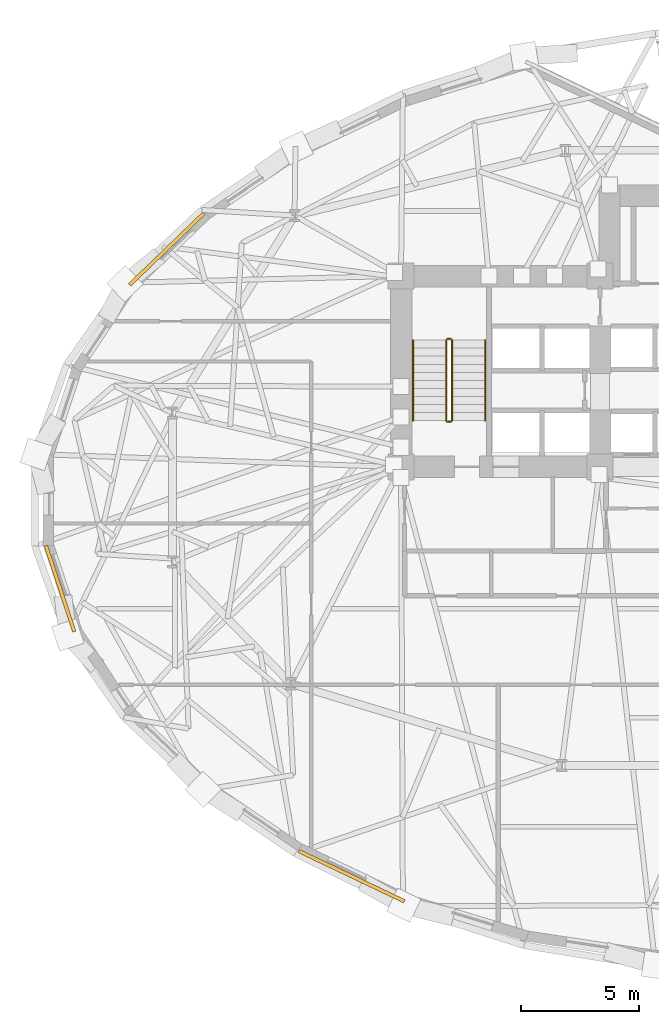
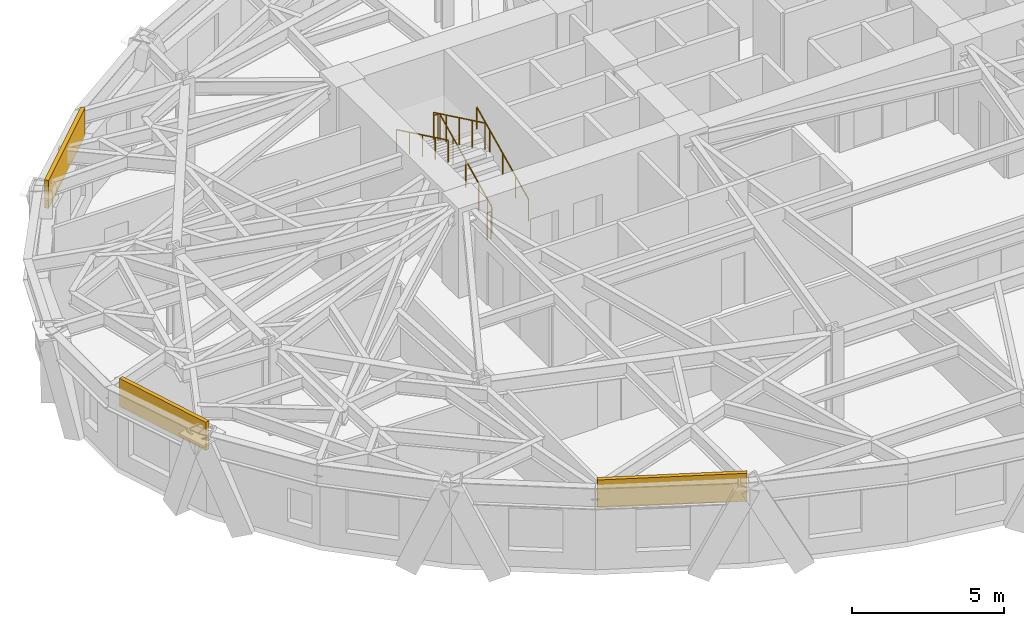
# One storey, part 12 of 15: 6 railings, 3 coverings.
"""IFC4 building model written with IfcOpenShell, lengths in metres."""

from ifc_helpers import new_model, si_unit, direction, frame, origin, origin_2d, place, context, subcontext, project, spatial, rectangle, circle, extrude, material, layer, layer_set, type_object, element, save


model = new_model("IFC4")

# Units and contexts
model_context = context("Model", 3, precision=1e-05, world=origin(), true_north=direction((0.0, 1.0)))
body_context = subcontext(model_context, "Body", "Model", "MODEL_VIEW")
ifc_project = project(units=[si_unit("LENGTHUNIT", "METRE"), si_unit("AREAUNIT", "SQUARE_METRE"), si_unit("VOLUMEUNIT", "CUBIC_METRE"), si_unit("PLANEANGLEUNIT", "RADIAN"), si_unit("MASSUNIT", "GRAM", prefix="KILO")], contexts=[model_context])

# Site, building, storey
site_placement = place(None, origin())
site = spatial("IfcSite", under=ifc_project, at=site_placement, CompositionType="ELEMENT")
building_placement = place(site_placement, origin())
building = spatial("IfcBuilding", under=site, at=building_placement, Name="Keldmark Tower", CompositionType="ELEMENT")
storey_placement = place(building_placement, frame((0.0, 0.0, 55.800048828125)))
storey = spatial("IfcBuildingStorey", under=building, at=storey_placement, Name="L14", CompositionType="ELEMENT", Elevation=55.800048828125)

# Coverings
ifc_material_1 = material(Name="Honed Kasota Buff Dolomitic Limestone", Category="masonry")
ifc_layer = layer(ifc_material_1, 0.074951171875)
ifc_layer_set = layer_set([ifc_layer], Name="Honed Kasota Buff Dolomitic Limestone")
covering_type = type_object("IfcCoveringType", Name="Kasota Buff Limestone Spandrel Cladding Band", PredefinedType="CLADDING", material=ifc_layer_set)
covering_1_placement = place(storey_placement, frame((-23.49462890625, 10.592041015625, 2.452880859375), z_axis=(0.0, 0.0, 1.0), x_axis=(-0.71993361692, -0.694042928952, 0.0)))
element("IfcCovering", 1, at=covering_1_placement, inside=storey, type_object=covering_type, Name="L14 Kasota Limestone Spandrel Band 13", PredefinedType="CLADDING", context=body_context, shape_type="SweptSolid", body=[
    extrude(rectangle(XDim=4.34228515625, YDim=0.14990234375, at=origin_2d()), origin(), (0.0, 0.0, 1.0), 1.126953125),
])
covering_2_placement = place(storey_placement, frame((-27.993408203125, -3.749755859375, 2.452880859375), z_axis=(0.0, 0.0, 1.0), x_axis=(0.313163806484, -0.949699126202, 0.0)))
element("IfcCovering", 2, at=covering_2_placement, inside=storey, type_object=covering_type, Name="L14 Kasota Limestone Spandrel Band 17", PredefinedType="CLADDING", context=body_context, shape_type="SweptSolid", body=[
    extrude(rectangle(XDim=3.81201171875, YDim=0.14990234375, at=origin_2d()), origin(), (0.0, 0.0, 1.0), 1.126953125),
])
covering_3_placement = place(storey_placement, frame((-15.6943359375, -15.87939453125, 2.452880859375), z_axis=(0.0, 0.0, 1.0), x_axis=(0.902675430587, -0.430322050348, 0.0)))
element("IfcCovering", 3, at=covering_3_placement, inside=storey, type_object=covering_type, Name="L14 Kasota Limestone Spandrel Band 21", PredefinedType="CLADDING", context=body_context, shape_type="SweptSolid", body=[
    extrude(rectangle(XDim=4.94091796875, YDim=0.14990234375, at=origin_2d()), origin(), (0.0, 0.0, 1.0), 1.126953125),
])

# Railings
ifc_material_2 = material(Name="Painted Steel ASTM A500 Grade B", Category="steel")
railing_type_1 = type_object("IfcRailingType", Name="Painted Steel Stair Well Guard 1100 mm", PredefinedType="GUARDRAIL", material=ifc_material_2)
railing_1_placement = place(storey_placement, frame((-11.449951171875, 3.35009765625, 0.16357421875)))
element("IfcRailing", 4, at=railing_1_placement, inside=storey, type_object=railing_type_1, Name="L14 ST1 stair guard 1", PredefinedType="GUARDRAIL", context=body_context, shape_type="SweptSolid", body=[
    extrude(circle(Radius=0.02392578125, at=origin_2d()), frame((0.0, 0.0, 1.076171875), z_axis=(0.0, 0.901055053782, 0.433704726806), x_axis=(-1.0, 0.0, 0.0)), (0.0, 0.0, 1.0), 3.773193359375),
    extrude(circle(Radius=0.02099609375, at=origin_2d()), origin(), (0.0, 0.0, 1.0), 1.052001953125),
    extrude(circle(Radius=0.02099609375, at=origin_2d()), frame((0.0, 0.85009765625, 0.4091796875)), (0.0, 0.0, 1.0), 1.052001953125),
    extrude(circle(Radius=0.02099609375, at=origin_2d()), frame((0.0, 1.699951171875, 0.818359375)), (0.0, 0.0, 1.0), 1.052001953125),
    extrude(circle(Radius=0.02099609375, at=origin_2d()), frame((0.0, 2.5498046875, 1.227294921875)), (0.0, 0.0, 1.0), 1.052001953125),
    extrude(circle(Radius=0.02099609375, at=origin_2d()), frame((0.0, 3.39990234375, 1.636474609375)), (0.0, 0.0, 1.0), 1.052001953125),
])
railing_2_placement = place(storey_placement, frame((-11.5, 6.800048828125, 1.800048828125)))
element("IfcRailing", 5, at=railing_2_placement, inside=storey, type_object=railing_type_1, Name="L14 ST1 stair guard 2", PredefinedType="GUARDRAIL", context=body_context, shape_type="SweptSolid", body=[
    extrude(circle(Radius=0.02392578125, at=origin_2d()), frame((0.0, 0.0, 1.076171875), z_axis=(-1.0, 0.0, 0.0), x_axis=(0.0, -1.0, 0.0)), (0.0, 0.0, 1.0), 0.14990234375),
    extrude(circle(Radius=0.02099609375, at=origin_2d()), origin(), (0.0, 0.0, 1.0), 1.052001953125),
    extrude(circle(Radius=0.02099609375, at=origin_2d()), frame((-0.14990234375, 0.0, 0.0)), (0.0, 0.0, 1.0), 1.052001953125),
])
railing_3_placement = place(storey_placement, frame((-11.699951171875, 6.75, 1.963623046875)))
element("IfcRailing", 6, at=railing_3_placement, inside=storey, type_object=railing_type_1, Name="L14 ST1 stair guard 3", PredefinedType="GUARDRAIL", context=body_context, shape_type="SweptSolid", body=[
    extrude(circle(Radius=0.02392578125, at=origin_2d()), frame((0.0, 0.0, 1.076171875), z_axis=(0.0, -0.901080338394, 0.433652192153), x_axis=(1.0, 0.0, 0.0)), (0.0, 0.0, 1.0), 3.773193359375),
    extrude(circle(Radius=0.02099609375, at=origin_2d()), origin(), (0.0, 0.0, 1.0), 1.052001953125),
    extrude(circle(Radius=0.02099609375, at=origin_2d()), frame((0.0, -0.85009765625, 0.4091796875)), (0.0, 0.0, 1.0), 1.052001953125),
    extrude(circle(Radius=0.02099609375, at=origin_2d()), frame((0.0, -1.699951171875, 0.818115234375)), (0.0, 0.0, 1.0), 1.052001953125),
    extrude(circle(Radius=0.02099609375, at=origin_2d()), frame((0.0, -2.5498046875, 1.22705078125)), (0.0, 0.0, 1.0), 1.052001953125),
    extrude(circle(Radius=0.02099609375, at=origin_2d()), frame((0.0, -3.39990234375, 1.63623046875)), (0.0, 0.0, 1.0), 1.052001953125),
])
railing_4_placement = place(storey_placement, frame((-11.5, 3.300048828125, 0.0)))
element("IfcRailing", 7, at=railing_4_placement, inside=storey, type_object=railing_type_1, Name="L14 ST1 stair guard 4", PredefinedType="GUARDRAIL", context=body_context, shape_type="SweptSolid", body=[
    extrude(circle(Radius=0.02392578125, at=origin_2d()), frame((0.0, 0.0, 1.076171875), z_axis=(-1.0, 0.0, 0.0), x_axis=(0.0, -1.0, 0.0)), (0.0, 0.0, 1.0), 0.14990234375),
    extrude(circle(Radius=0.02099609375, at=origin_2d()), origin(), (0.0, 0.0, 1.0), 1.052001953125),
    extrude(circle(Radius=0.02099609375, at=origin_2d()), frame((-0.14990234375, 0.0, 0.0)), (0.0, 0.0, 1.0), 1.052001953125),
])
ifc_material_3 = material(Name="Stainless Steel AISI 316L", Category="steel")
railing_type_2 = type_object("IfcRailingType", Name="Stainless Steel Stair Handrail 900 mm", PredefinedType="HANDRAIL", material=ifc_material_3)
railing_5_placement = place(storey_placement, frame((-10.050048828125, 3.35009765625, 0.16357421875)))
element("IfcRailing", 8, at=railing_5_placement, inside=storey, type_object=railing_type_2, Name="L14 ST1 stair handrail 1", PredefinedType="HANDRAIL", context=body_context, shape_type="SweptSolid", body=[
    extrude(circle(Radius=0.02392578125, at=origin_2d()), frame((0.0, 0.0, 0.8759765625), z_axis=(0.0, 0.901055053782, 0.433704726806), x_axis=(-1.0, 0.0, 0.0)), (0.0, 0.0, 1.0), 3.773193359375),
    extrude(circle(Radius=0.02099609375, at=origin_2d()), origin(), (0.0, 0.0, 1.0), 0.851806640625),
    extrude(circle(Radius=0.02099609375, at=origin_2d()), frame((0.0, 0.85009765625, 0.4091796875)), (0.0, 0.0, 1.0), 0.851806640625),
    extrude(circle(Radius=0.02099609375, at=origin_2d()), frame((0.0, 1.699951171875, 0.818359375)), (0.0, 0.0, 1.0), 0.851806640625),
    extrude(circle(Radius=0.02099609375, at=origin_2d()), frame((0.0, 2.5498046875, 1.227294921875)), (0.0, 0.0, 1.0), 0.851806640625),
    extrude(circle(Radius=0.02099609375, at=origin_2d()), frame((0.0, 3.39990234375, 1.636474609375)), (0.0, 0.0, 1.0), 0.851806640625),
])
railing_6_placement = place(storey_placement, frame((-13.10009765625, 6.75, 1.963623046875)))
element("IfcRailing", 9, at=railing_6_placement, inside=storey, type_object=railing_type_2, Name="L14 ST1 stair handrail 2", PredefinedType="HANDRAIL", context=body_context, shape_type="SweptSolid", body=[
    extrude(circle(Radius=0.02392578125, at=origin_2d()), frame((0.0, 0.0, 0.8759765625), z_axis=(0.0, -0.901080338394, 0.433652192153), x_axis=(1.0, 0.0, 0.0)), (0.0, 0.0, 1.0), 3.773193359375),
    extrude(circle(Radius=0.02099609375, at=origin_2d()), origin(), (0.0, 0.0, 1.0), 0.851806640625),
    extrude(circle(Radius=0.02099609375, at=origin_2d()), frame((0.0, -0.85009765625, 0.4091796875)), (0.0, 0.0, 1.0), 0.851806640625),
    extrude(circle(Radius=0.02099609375, at=origin_2d()), frame((0.0, -1.699951171875, 0.818115234375)), (0.0, 0.0, 1.0), 0.851806640625),
    extrude(circle(Radius=0.02099609375, at=origin_2d()), frame((0.0, -2.5498046875, 1.22705078125)), (0.0, 0.0, 1.0), 0.851806640625),
    extrude(circle(Radius=0.02099609375, at=origin_2d()), frame((0.0, -3.39990234375, 1.63623046875)), (0.0, 0.0, 1.0), 0.851806640625),
])

save(model, "model.ifc")
